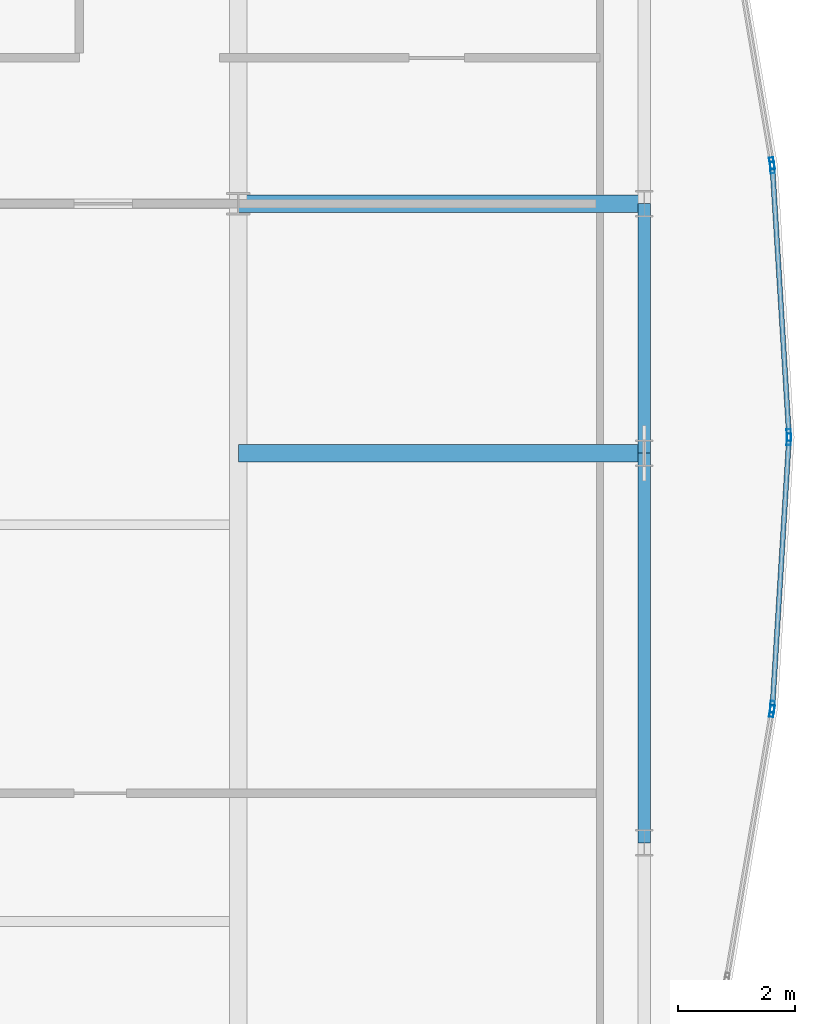
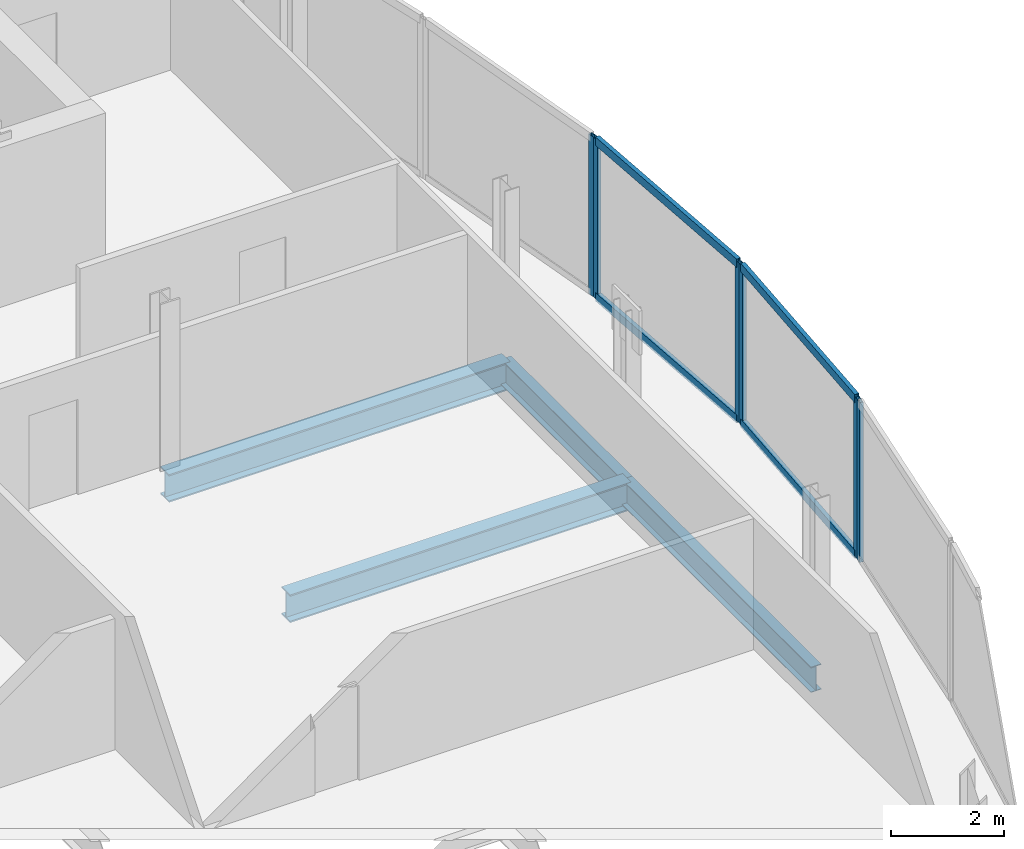
# One storey, part 18 of 29: 10 members, 4 beams, 4 elements without a shape of their own.
"""IFC4 building model written with IfcOpenShell, lengths in metres."""

from ifc_helpers import new_model, si_unit, direction, frame, origin, origin_2d, place, context, subcontext, project, spatial, hollow_rectangle, i_section, extrude, material, material_profile, profile_set, type_object, element, aggregate, save


model = new_model("IFC4")

# Units and contexts
model_context = context("Model", 3, precision=1e-05, world=origin(), true_north=direction((0.0, 1.0)))
body_context = subcontext(model_context, "Body", "Model", "MODEL_VIEW")
ifc_project = project(units=[si_unit("LENGTHUNIT", "METRE"), si_unit("AREAUNIT", "SQUARE_METRE"), si_unit("VOLUMEUNIT", "CUBIC_METRE"), si_unit("PLANEANGLEUNIT", "RADIAN"), si_unit("MASSUNIT", "GRAM", prefix="KILO")], contexts=[model_context])

# Site, building, storey
site_placement = place(None, origin())
site = spatial("IfcSite", under=ifc_project, at=site_placement, CompositionType="ELEMENT")
building_placement = place(site_placement, origin())
building = spatial("IfcBuilding", under=site, at=building_placement, Name="Khoronbel Lancet Exchange", CompositionType="ELEMENT")
storey_placement = place(building_placement, frame((0.0, 0.0, 321.800048828125)))
storey = spatial("IfcBuildingStorey", under=building, at=storey_placement, Name="L83", CompositionType="ELEMENT", Elevation=321.800048828125)

# Beams
ifc_material_1 = material(Name="Steel S355", Category="steel")
ifc_material_profile_1 = material_profile(ifc_material_1, i_section(OverallWidth=0.300048828125, OverallDepth=0.60009765625, WebThickness=0.015380859375, FlangeThickness=0.030029296875, at=origin_2d()), Name="HEB 600")
ifc_profile_set_1 = profile_set([ifc_material_profile_1], Name="Steel S355")
beam_type_1 = type_object("IfcBeamType", Name="BM-BG5", PredefinedType="BEAM", material=ifc_profile_set_1)
for number, where, z_axis, x_axis, name in (
    (1, (54.675048828125, 31.425048828125, -0.4599609375), (1.0, 0.0, 0.0), (0.0, 1.0, 0.0), "Level L83 east lens tie girder LG2E"),
    (2, (54.675048828125, 35.699951171875, -0.4599609375), (1.0, 0.0, 0.0), (0.0, 1.0, 0.0), "Level L83 east lens tie girder LG4E"),
):
    element("IfcBeam", number, at=place(storey_placement, frame(where, z_axis=z_axis, x_axis=x_axis)), inside=storey, type_object=beam_type_1, Name=name, PredefinedType="BEAM", context=body_context, shape_type="SweptSolid", body=[
        extrude(i_section(OverallWidth=0.300048828125, OverallDepth=0.60009765625, WebThickness=0.015380859375, FlangeThickness=0.030029296875, at=origin_2d()), origin(), (0.0, 0.0, 1.0), 6.954833984375),
    ])
ifc_material_profile_2 = material_profile(ifc_material_1, i_section(OverallWidth=0.2099609375, OverallDepth=0.550048828125, WebThickness=0.010986328125, FlangeThickness=0.01708984375, at=origin_2d()), Name="IPE 550")
ifc_profile_set_2 = profile_set([ifc_material_profile_2], Name="Steel S355")
beam_type_2 = type_object("IfcBeamType", Name="BM-BSP3", PredefinedType="SPANDREL", material=ifc_profile_set_2)
beam_1_placement = place(storey_placement, frame((61.6298828125, 24.75, -0.43505859375), z_axis=(0.0, 1.0, 0.0), x_axis=(-1.0, 0.0, 0.0)))
element("IfcBeam", 3, at=beam_1_placement, inside=storey, type_object=beam_type_2, Name="Level L83 perimeter spandrel beam SP10", PredefinedType="SPANDREL", context=body_context, shape_type="SweptSolid", body=[
    extrude(i_section(OverallWidth=0.2099609375, OverallDepth=0.550048828125, WebThickness=0.010986328125, FlangeThickness=0.01708984375, at=origin_2d()), origin(), (0.0, 0.0, 1.0), 6.675048828125),
])
beam_2_placement = place(storey_placement, frame((61.6298828125, 31.425048828125, -0.43505859375), z_axis=(0.0, 1.0, 0.0), x_axis=(-1.0, 0.0, 0.0)))
element("IfcBeam", 4, at=beam_2_placement, inside=storey, type_object=beam_type_2, Name="Level L83 perimeter spandrel beam SP11", PredefinedType="SPANDREL", context=body_context, shape_type="SweptSolid", body=[
    extrude(i_section(OverallWidth=0.2099609375, OverallDepth=0.550048828125, WebThickness=0.010986328125, FlangeThickness=0.01708984375, at=origin_2d()), origin(), (0.0, 0.0, 1.0), 4.27490234375),
])

# Curtain wall, member
ifc_material_2 = material(Name="Low-E Solar Control Insulating Glass", Category="glass")
curtain_wall_type = type_object("IfcCurtainWallType", Name="CW-4", PredefinedType="NOTDEFINED", material=ifc_material_2)
curtain_wall_1_placement = place(storey_placement, origin())
curtain_wall_1 = element("IfcCurtainWall", 5, at=curtain_wall_1_placement, inside=storey, type_object=curtain_wall_type, Name="Unitised curtain wall CW-L83-E18", PredefinedType="NOTDEFINED")
ifc_material_3 = material(Name="Bronze-Anodised Aluminium 6063-T6", Category="aluminium")
ifc_material_profile_3 = material_profile(ifc_material_3, hollow_rectangle(XDim=0.074951171875, YDim=0.199951171875, WallThickness=0.0048828125, at=origin_2d()), Name="ALU MULLION 75x200")
ifc_profile_set_3 = profile_set([ifc_material_profile_3], Name="Bronze-Anodised Aluminium 6063-T6")
member_type_1 = type_object("IfcMemberType", Name="MEM-CWM2", PredefinedType="MULLION", material=ifc_profile_set_3)
member_1_placement = place(storey_placement, frame((63.816162109375, 36.393310546875, 0.0), z_axis=(0.0, 0.0, 1.0), x_axis=(0.986074631142, 0.166303402909, 0.0)))
member_1 = element("IfcMember", 6, at=member_1_placement, type_object=member_type_1, Name="CW4 mullion 2", PredefinedType="MULLION", context=body_context, shape_type="SweptSolid", body=[
    extrude(hollow_rectangle(XDim=0.074951171875, YDim=0.199951171875, WallThickness=0.0048828125, at=origin_2d()), origin(), (0.0, 0.0, 1.0), 3.43994140625),
])
aggregate(curtain_wall_1, [member_1])

# Curtain wall, members
curtain_wall_2_placement = place(storey_placement, origin())
curtain_wall_2 = element("IfcCurtainWall", 7, at=curtain_wall_2_placement, inside=storey, type_object=curtain_wall_type, Name="Unitised curtain wall CW-L83-E19", PredefinedType="NOTDEFINED")
member_2_placement = place(storey_placement, frame((63.82470703125, 36.319091796875, 0.0), z_axis=(0.0, 0.0, 1.0), x_axis=(0.99810197089, 0.061582917317, 0.0)))
member_2 = element("IfcMember", 8, at=member_2_placement, type_object=member_type_1, Name="CW4 mullion 1", PredefinedType="MULLION", context=body_context, shape_type="SweptSolid", body=[
    extrude(hollow_rectangle(XDim=0.074951171875, YDim=0.199951171875, WallThickness=0.0048828125, at=origin_2d()), origin(), (0.0, 0.0, 1.0), 3.43994140625),
])
member_3_placement = place(storey_placement, frame((64.107421875, 31.737548828125, 0.0), z_axis=(0.0, 0.0, 1.0), x_axis=(0.99810197089, 0.061582917317, 0.0)))
member_3 = element("IfcMember", 9, at=member_3_placement, type_object=member_type_1, Name="CW4 mullion 2", PredefinedType="MULLION", context=body_context, shape_type="SweptSolid", body=[
    extrude(hollow_rectangle(XDim=0.074951171875, YDim=0.199951171875, WallThickness=0.0048828125, at=origin_2d()), origin(), (0.0, 0.0, 1.0), 3.43994140625),
])

curtain_wall_3_placement = place(storey_placement, origin())
curtain_wall_3 = element("IfcCurtainWall", 10, at=curtain_wall_3_placement, inside=storey, type_object=curtain_wall_type, Name="Unitised curtain wall CW-L83-E20", PredefinedType="NOTDEFINED")
member_4_placement = place(storey_placement, frame((64.107421875, 31.66259765625, 0.0), z_axis=(0.0, 0.0, 1.0), x_axis=(0.99810197089, -0.061582917317, 0.0)))
member_4 = element("IfcMember", 11, at=member_4_placement, type_object=member_type_1, Name="CW4 mullion 1", PredefinedType="MULLION", context=body_context, shape_type="SweptSolid", body=[
    extrude(hollow_rectangle(XDim=0.074951171875, YDim=0.199951171875, WallThickness=0.0048828125, at=origin_2d()), origin(), (0.0, 0.0, 1.0), 3.43994140625),
])
member_5_placement = place(storey_placement, frame((63.82470703125, 27.0810546875, 0.0), z_axis=(0.0, 0.0, 1.0), x_axis=(0.99810197089, -0.061582917317, 0.0)))
member_5 = element("IfcMember", 12, at=member_5_placement, type_object=member_type_1, Name="CW4 mullion 2", PredefinedType="MULLION", context=body_context, shape_type="SweptSolid", body=[
    extrude(hollow_rectangle(XDim=0.074951171875, YDim=0.199951171875, WallThickness=0.0048828125, at=origin_2d()), origin(), (0.0, 0.0, 1.0), 3.43994140625),
])

# Curtain wall, member
curtain_wall_4_placement = place(storey_placement, origin())
curtain_wall_4 = element("IfcCurtainWall", 13, at=curtain_wall_4_placement, inside=storey, type_object=curtain_wall_type, Name="Unitised curtain wall CW-L83-E21", PredefinedType="NOTDEFINED")
member_6_placement = place(storey_placement, frame((63.816162109375, 27.006591796875, 0.0), z_axis=(0.0, 0.0, 1.0), x_axis=(0.986074631142, -0.166303402909, 0.0)))
member_6 = element("IfcMember", 14, at=member_6_placement, type_object=member_type_1, Name="CW4 mullion 1", PredefinedType="MULLION", context=body_context, shape_type="SweptSolid", body=[
    extrude(hollow_rectangle(XDim=0.074951171875, YDim=0.199951171875, WallThickness=0.0048828125, at=origin_2d()), origin(), (0.0, 0.0, 1.0), 3.43994140625),
])
aggregate(curtain_wall_4, [member_6])

# Member
ifc_material_profile_4 = material_profile(ifc_material_3, hollow_rectangle(XDim=0.0849609375, YDim=0.179931640625, WallThickness=0.0048828125, at=origin_2d()), Name="ALU TRANSOM 85x180")
ifc_profile_set_4 = profile_set([ifc_material_profile_4], Name="Bronze-Anodised Aluminium 6063-T6")
member_type_2 = type_object("IfcMemberType", Name="MEM-CWT1", PredefinedType="USERDEFINED", material=ifc_profile_set_4)
member_7_placement = place(storey_placement, frame((63.8271484375, 36.281494140625, 0.04248046875), z_axis=(0.061587184838, -0.998101707575, 0.0), x_axis=(0.998101707575, 0.061587184838, 0.0)))
member_7 = element("IfcMember", 15, at=member_7_placement, type_object=member_type_2, Name="CW4 transom 1.1", ObjectType="TRANSOM", PredefinedType="USERDEFINED", context=body_context, shape_type="SweptSolid", body=[
    extrude(hollow_rectangle(XDim=0.0849609375, YDim=0.179931640625, WallThickness=0.0048828125, at=origin_2d()), origin(), (0.0, 0.0, 1.0), 4.51513671875),
])

member_8_placement = place(storey_placement, frame((63.8271484375, 36.281494140625, 3.3974609375), z_axis=(0.061587184838, -0.998101707575, 0.0), x_axis=(0.998101707575, 0.061587184838, 0.0)))
member_8 = element("IfcMember", 16, at=member_8_placement, type_object=member_type_2, Name="CW4 transom 1.2", ObjectType="TRANSOM", PredefinedType="USERDEFINED", context=body_context, shape_type="SweptSolid", body=[
    extrude(hollow_rectangle(XDim=0.0849609375, YDim=0.179931640625, WallThickness=0.0048828125, at=origin_2d()), origin(), (0.0, 0.0, 1.0), 4.51513671875),
])

aggregate(curtain_wall_2, [member_2, member_3, member_7, member_8])

member_9_placement = place(storey_placement, frame((64.105224609375, 31.625244140625, 0.04248046875), z_axis=(-0.061583861241, -0.99810191265, 0.0), x_axis=(0.99810191265, -0.061583861241, 0.0)))
member_9 = element("IfcMember", 17, at=member_9_placement, type_object=member_type_2, Name="CW4 transom 1.1", ObjectType="TRANSOM", PredefinedType="USERDEFINED", context=body_context, shape_type="SweptSolid", body=[
    extrude(hollow_rectangle(XDim=0.0849609375, YDim=0.179931640625, WallThickness=0.0048828125, at=origin_2d()), origin(), (0.0, 0.0, 1.0), 4.515380859375),
])

member_10_placement = place(storey_placement, frame((64.105224609375, 31.625244140625, 3.3974609375), z_axis=(-0.061583861241, -0.99810191265, 0.0), x_axis=(0.99810191265, -0.061583861241, 0.0)))
member_10 = element("IfcMember", 18, at=member_10_placement, type_object=member_type_2, Name="CW4 transom 1.2", ObjectType="TRANSOM", PredefinedType="USERDEFINED", context=body_context, shape_type="SweptSolid", body=[
    extrude(hollow_rectangle(XDim=0.0849609375, YDim=0.179931640625, WallThickness=0.0048828125, at=origin_2d()), origin(), (0.0, 0.0, 1.0), 4.515380859375),
])

aggregate(curtain_wall_3, [member_4, member_5, member_9, member_10])

save(model, "model.ifc")
